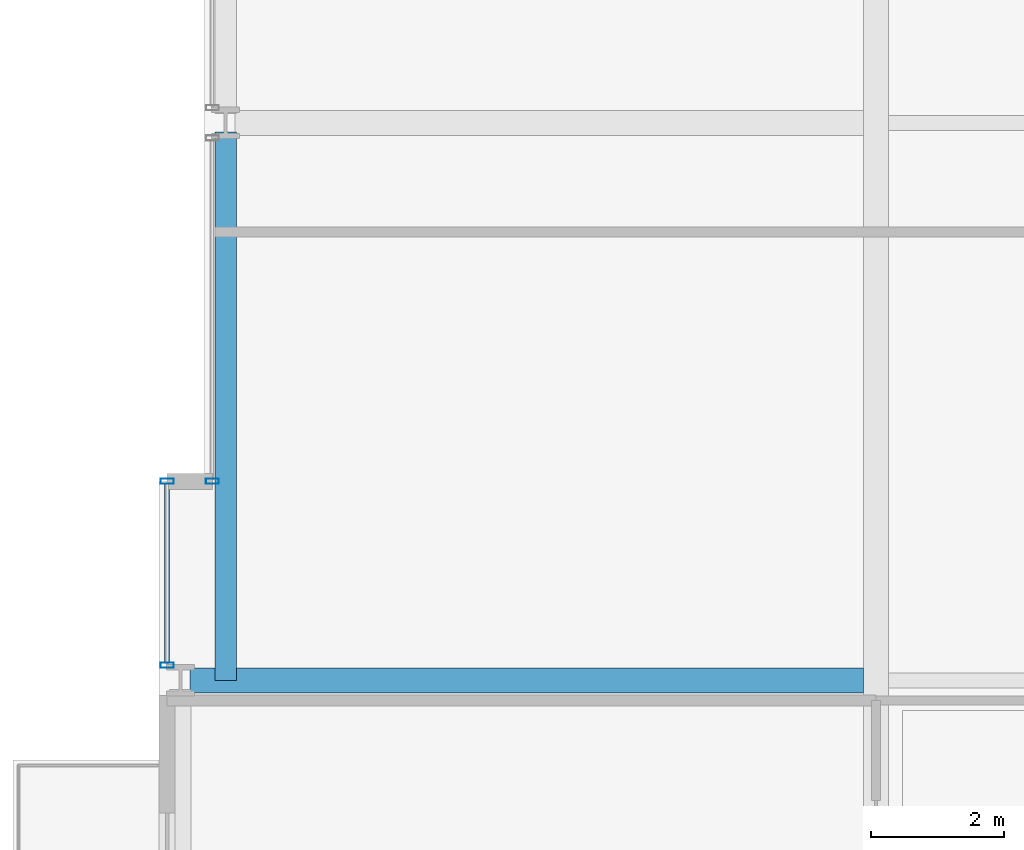
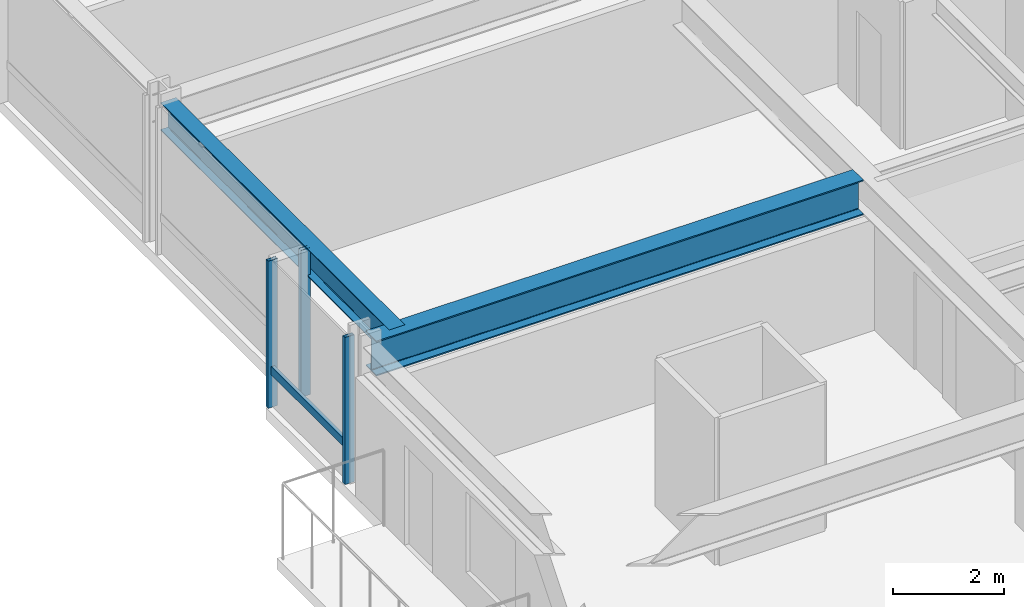
# One storey, part 7 of 37: 4 members, 2 beams, 2 elements without a shape of their own.
"""IFC4 building model written with IfcOpenShell, lengths in metres."""

from ifc_helpers import new_model, si_unit, direction, frame, origin, origin_2d, place, context, subcontext, project, spatial, hollow_rectangle, i_section, extrude, material, layer, layer_set, material_profile, profile_set, type_object, element, aggregate, save


model = new_model("IFC4")

# Units and contexts
model_context = context("Model", 3, precision=1e-05, world=origin(), true_north=direction((0.0, 1.0)))
body_context = subcontext(model_context, "Body", "Model", "MODEL_VIEW")
ifc_project = project(units=[si_unit("LENGTHUNIT", "METRE"), si_unit("AREAUNIT", "SQUARE_METRE"), si_unit("VOLUMEUNIT", "CUBIC_METRE"), si_unit("PLANEANGLEUNIT", "RADIAN"), si_unit("MASSUNIT", "GRAM", prefix="KILO")], contexts=[model_context])

# Site, building, storey
site_placement = place(None, origin())
site = spatial("IfcSite", under=ifc_project, at=site_placement, CompositionType="ELEMENT")
building_placement = place(site_placement, origin())
building = spatial("IfcBuilding", under=site, at=building_placement, Name="Drelvath Grand Hotel", CompositionType="ELEMENT")
storey_placement = place(building_placement, frame((0.0, 0.0, 75.199951171875)))
storey = spatial("IfcBuildingStorey", under=building, at=storey_placement, Name="L18", CompositionType="ELEMENT", Elevation=75.199951171875)

# Curtain wall, members
ifc_material_1 = material(Name="Warm Bronze Anodised Aluminium Frame", Category="aluminium")
ifc_layer = layer(ifc_material_1, 0.199951171875)
ifc_layer_set = layer_set([ifc_layer], Name="Warm Bronze Anodised Aluminium Frame")
curtain_wall_type = type_object("IfcCurtainWallType", Name="Stick Curtain Wall CW-02 Warm Bronze Low-Rise", PredefinedType="NOTDEFINED", material=ifc_layer_set)
curtain_wall_1_placement = place(storey_placement, origin())
curtain_wall_1 = element("IfcCurtainWall", 1, at=curtain_wall_1_placement, inside=storey, type_object=curtain_wall_type, Name="L18 CW-02 Curtain Wall CW02-L18-WS3", PredefinedType="NOTDEFINED")
ifc_material_profile_1 = material_profile(ifc_material_1, hollow_rectangle(XDim=0.074951171875, YDim=0.179931640625, WallThickness=0.0048828125, at=origin_2d()), Name="HSS180X75X5")
ifc_profile_set_1 = profile_set([ifc_material_profile_1], Name="Warm Bronze Anodised Aluminium Frame")
member_type_1 = type_object("IfcMemberType", Name="Curtain Wall Horizontal Transom CW-02 HSS180X75X5", PredefinedType="USERDEFINED", material=ifc_profile_set_1)
member_1_placement = place(storey_placement, frame((-26.8798828125, 18.869140625, 0.81005859375), z_axis=(0.0, 1.0, 0.0), x_axis=(-1.0, 0.0, 0.0)))
member_1 = element("IfcMember", 2, at=member_1_placement, type_object=member_type_1, Name="CW02-L18-WS3 Sill Transom", ObjectType="TRANSOM", PredefinedType="USERDEFINED", context=body_context, shape_type="SweptSolid", body=[
    extrude(hollow_rectangle(XDim=0.074951171875, YDim=0.179931640625, WallThickness=0.0048828125, at=origin_2d()), origin(), (0.0, 0.0, 1.0), 2.69091796875),
])
ifc_material_profile_2 = material_profile(ifc_material_1, hollow_rectangle(XDim=0.080078125, YDim=0.199951171875, WallThickness=0.0048828125, at=origin_2d()), Name="HSS200X80X5")
ifc_profile_set_2 = profile_set([ifc_material_profile_2], Name="Warm Bronze Anodised Aluminium Frame")
member_type_2 = type_object("IfcMemberType", Name="Curtain Wall Vertical Mullion CW-02 HSS200X80X5", PredefinedType="MULLION", material=ifc_profile_set_2)
member_2_placement = place(storey_placement, frame((-26.8798828125, 18.8291015625, 0.0), z_axis=(0.0, 0.0, 1.0), x_axis=(0.0, 1.0, 0.0)))
member_2 = element("IfcMember", 3, at=member_2_placement, type_object=member_type_2, Name="CW02-L18-WS3 Mullion 1", PredefinedType="MULLION", context=body_context, shape_type="SweptSolid", body=[
    extrude(hollow_rectangle(XDim=0.080078125, YDim=0.199951171875, WallThickness=0.0048828125, at=origin_2d()), origin(), (0.0, 0.0, 1.0), 3.239990234375),
])
member_3_placement = place(storey_placement, frame((-26.8798828125, 21.60009765625, 0.0), z_axis=(0.0, 0.0, 1.0), x_axis=(0.0, 1.0, 0.0)))
member_3 = element("IfcMember", 4, at=member_3_placement, type_object=member_type_2, Name="CW02-L18-WS3 Mullion 2", PredefinedType="MULLION", context=body_context, shape_type="SweptSolid", body=[
    extrude(hollow_rectangle(XDim=0.080078125, YDim=0.199951171875, WallThickness=0.0048828125, at=origin_2d()), origin(), (0.0, 0.0, 1.0), 3.239990234375),
])
aggregate(curtain_wall_1, [member_2, member_3, member_1])

# Curtain wall, member
curtain_wall_2_placement = place(storey_placement, origin())
curtain_wall_2 = element("IfcCurtainWall", 5, at=curtain_wall_2_placement, inside=storey, type_object=curtain_wall_type, Name="L18 CW-02 Curtain Wall CW02-L18-WM1", PredefinedType="NOTDEFINED")
member_4_placement = place(storey_placement, frame((-26.199951171875, 21.60009765625, 0.0), z_axis=(0.0, 0.0, 1.0), x_axis=(0.0, 1.0, 0.0)))
member_4 = element("IfcMember", 6, at=member_4_placement, type_object=member_type_2, Name="CW02-L18-WM1 Mullion 1", PredefinedType="MULLION", context=body_context, shape_type="SweptSolid", body=[
    extrude(hollow_rectangle(XDim=0.080078125, YDim=0.199951171875, WallThickness=0.0048828125, at=origin_2d()), origin(), (0.0, 0.0, 1.0), 3.239990234375),
])
aggregate(curtain_wall_2, [member_4])

# Beams
ifc_material_2 = material(Name="Steel ASTM A992 Gr 50", Category="steel")
ifc_material_profile_3 = material_profile(ifc_material_2, i_section(OverallWidth=0.323974609375, OverallDepth=0.611083984375, WebThickness=0.0126953125, FlangeThickness=0.01904296875, FilletRadius=0.02197265625, at=origin_2d()), Name="W24X104")
ifc_profile_set_3 = profile_set([ifc_material_profile_3], Name="Steel ASTM A992 Gr 50")
beam_type_1 = type_object("IfcBeamType", Name="Perimeter Spandrel Beam W24X104", PredefinedType="SPANDREL", material=ifc_profile_set_3)
beam_1_placement = place(storey_placement, frame((-26.0, 18.60009765625, 2.9345703125), z_axis=(0.0, 1.0, 0.0), x_axis=(-1.0, 0.0, 0.0)))
element("IfcBeam", 7, at=beam_1_placement, inside=storey, type_object=beam_type_1, Name="L18 Spandrel West Mid S", PredefinedType="SPANDREL", context=body_context, shape_type="SweptSolid", body=[
    extrude(i_section(OverallWidth=0.323974609375, OverallDepth=0.611083984375, WebThickness=0.0126953125, FlangeThickness=0.01904296875, FilletRadius=0.02197265625, at=origin_2d()), origin(), (0.0, 0.0, 1.0), 8.260009765625),
])
ifc_material_profile_4 = material_profile(ifc_material_2, i_section(OverallWidth=0.380615234375, OverallDepth=0.773193359375, WebThickness=0.0166015625, FlangeThickness=0.027099609375, FilletRadius=0.02490234375, at=origin_2d()), Name="W30X173")
ifc_profile_set_4 = profile_set([ifc_material_profile_4], Name="Steel ASTM A992 Gr 50")
beam_type_2 = type_object("IfcBeamType", Name="Primary Floor Girder W30X173", PredefinedType="BEAM", material=ifc_profile_set_4)
beam_2_placement = place(storey_placement, frame((-26.5400390625, 18.60009765625, 2.853515625), z_axis=(1.0, 0.0, 0.0), x_axis=(0.0, 1.0, 0.0)))
element("IfcBeam", 8, at=beam_2_placement, inside=storey, type_object=beam_type_2, Name="L18 West Wing Girder D", PredefinedType="BEAM", context=body_context, shape_type="SweptSolid", body=[
    extrude(i_section(OverallWidth=0.380615234375, OverallDepth=0.773193359375, WebThickness=0.0166015625, FlangeThickness=0.027099609375, FilletRadius=0.02490234375, at=origin_2d()), origin(), (0.0, 0.0, 1.0), 10.149658203125),
])

save(model, "model.ifc")
